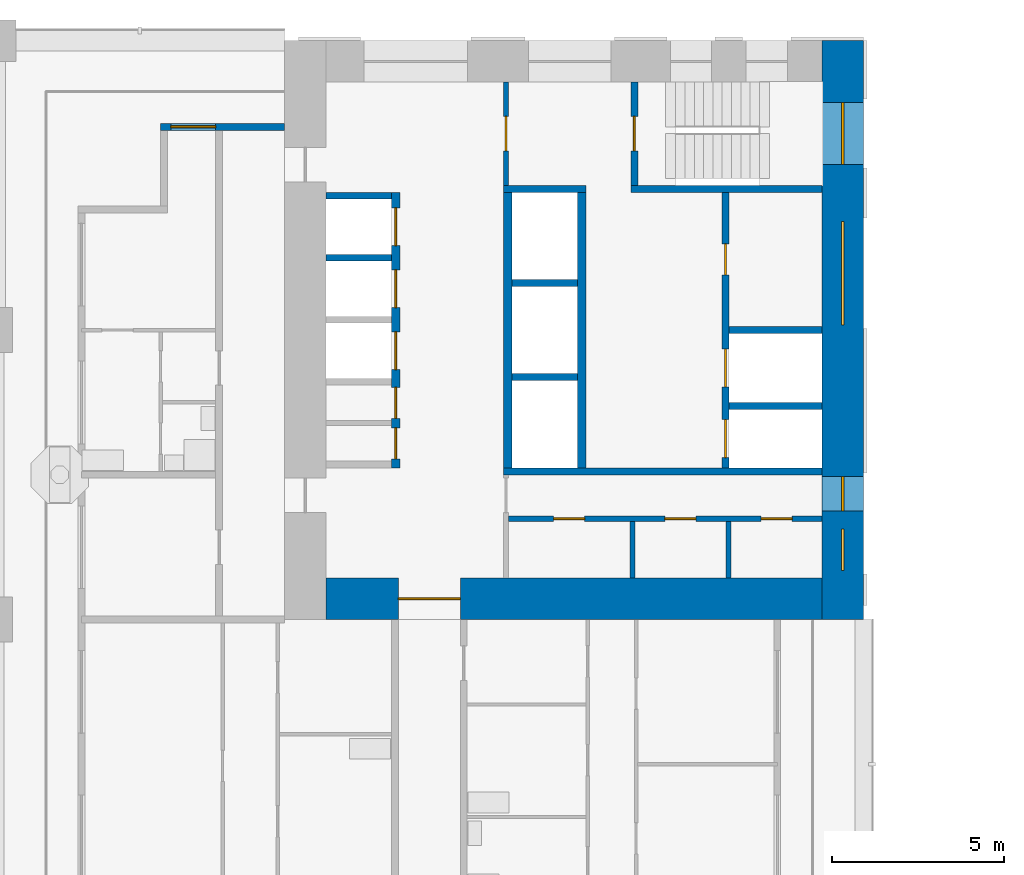
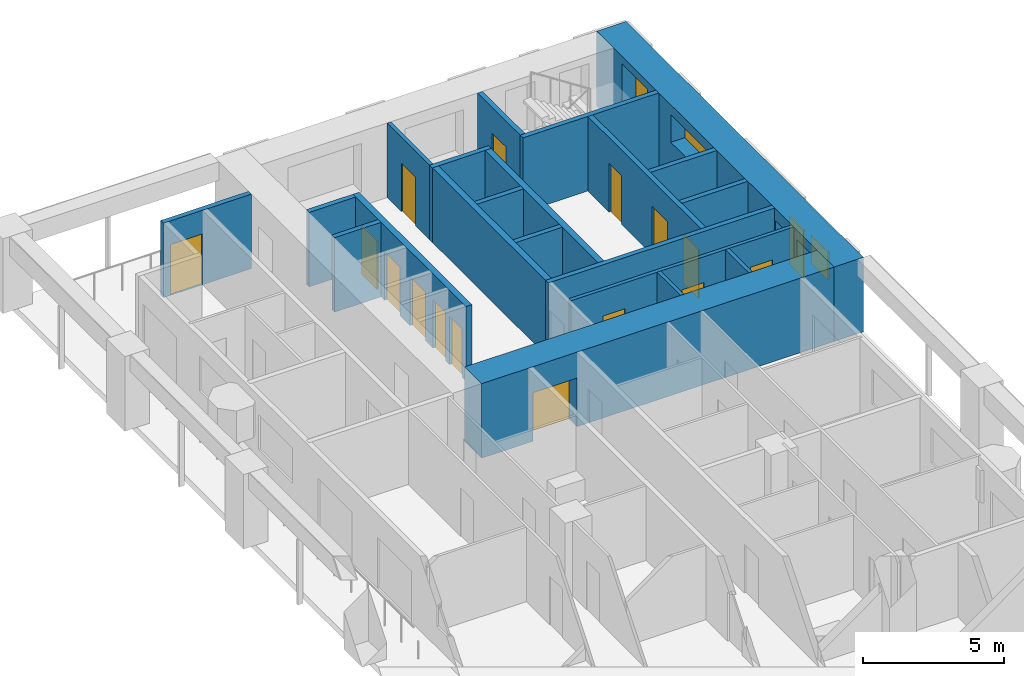
# One storey, part 7 of 18: 21 walls, 15 doors, 4 windows, 19 openings.
"""IFC4 building model written with IfcOpenShell, lengths in metres."""

from ifc_helpers import new_model, si_unit, direction, frame, frame_2d, origin, place, context, subcontext, project, spatial, rectangle, extrude, material, layer, layer_set, type_object, element, fill, save


model = new_model("IFC4")

# Units and contexts
model_context = context("Model", 3, precision=1e-05, world=origin(), true_north=direction((0.0, 1.0)))
body_context = subcontext(model_context, "Body", "Model", "MODEL_VIEW")
ifc_project = project(units=[si_unit("LENGTHUNIT", "METRE"), si_unit("AREAUNIT", "SQUARE_METRE"), si_unit("VOLUMEUNIT", "CUBIC_METRE"), si_unit("PLANEANGLEUNIT", "RADIAN"), si_unit("MASSUNIT", "GRAM", prefix="KILO")], contexts=[model_context])

# Site, building, storey
site_placement = place(None, origin())
site = spatial("IfcSite", under=ifc_project, at=site_placement, CompositionType="ELEMENT")
building_placement = place(site_placement, origin())
building = spatial("IfcBuilding", under=site, at=building_placement, Name="Vermilion Gate Residences", CompositionType="ELEMENT")
storey_placement = place(building_placement, frame((0.0, 0.0, 84.699951171875)))
storey = spatial("IfcBuildingStorey", under=building, at=storey_placement, Name="L20", CompositionType="ELEMENT", Elevation=84.699951171875)

# Wall, opening, door
ifc_material_1 = material(Name="Masonry blockwork", Category="masonry")
ifc_layer_1 = layer(ifc_material_1, 0.14990234375)
ifc_layer_set_1 = layer_set([ifc_layer_1], Name="BLOCKWORK PARTITION 150 EI 120")
wall_type_1 = type_object("IfcWallType", Name="BLOCKWORK PARTITION 150 EI 120", PredefinedType="PARTITIONING", material=ifc_layer_set_1)
wall_1_placement = place(storey_placement, frame((14.824951171875, 57.60009765625, 0.0), z_axis=(0.0, 0.0, 1.0), x_axis=(0.0, -1.0, 0.0)))
wall_1 = element("IfcWall", 1, at=wall_1_placement, inside=storey, type_object=wall_type_1, Name="Core room partition B20-VW-S", PredefinedType="PARTITIONING", context=body_context, shape_type="SweptSolid", body=[
    extrude(rectangle(XDim=3.0, YDim=0.14990234375, at=frame_2d((1.5, 0.0))), origin(), (0.0, 0.0, 1.0), 3.219970703125),
])
opening_1_placement = place(wall_1_placement, frame((1.0, 0.0, 0.0)))
opening_1 = element("IfcOpeningElement", 2, at=opening_1_placement, cuts=wall_1, Name="Opening DK20112", PredefinedType="OPENING", context=body_context, shape_type="SweptSolid", body=[
    extrude(rectangle(XDim=1.0, YDim=2.10009765625, at=frame_2d((0.5, 1.050048828125))), frame((0.0, 0.0849609375, 0.0), z_axis=(0.0, -1.0, 0.0), x_axis=(1.0, 0.0, 0.0)), (0.0, 0.0, 1.0), 0.169921875),
])
ifc_material_2 = material(Name="Steel", Category="steel")
door_type_1 = type_object("IfcDoorType", Name="FIRE DOOR FD60 1000 X 2100", OperationType="SINGLE_SWING_LEFT", PredefinedType="DOOR", material=ifc_material_2)
door_1_placement = place(opening_1_placement, frame((1.0, 0.0, 0.0), z_axis=(0.0, 0.0, 1.0), x_axis=(-1.0, 0.0, 0.0)))
door_1 = element("IfcDoor", 3, at=door_1_placement, inside=storey, type_object=door_type_1, Name="Stair vestibule door B20", OperationType="SINGLE_SWING_RIGHT", OverallHeight=2.10009765625, OverallWidth=1.0, PredefinedType="DOOR", context=body_context, shape_type="SweptSolid", body=[
    extrude(rectangle(XDim=1.0, YDim=2.10009765625, at=frame_2d((0.5, 1.050048828125))), frame((0.0, 0.02490234375, 0.0), z_axis=(0.0, -1.0, 0.0), x_axis=(1.0, 0.0, 0.0)), (0.0, 0.0, 1.0), 0.050048828125),
])
fill(opening_1, door_1)

# Walls
for number, where, z_axis, x_axis, name in (
    (4, (18.4951171875, 44.85009765625, 0.0), (0.0, 0.0, 1.0), (0.0, -1.0, 0.0), "Core room partition B20-ES-P0"),
    (5, (21.284912109375, 44.85009765625, 0.0), (0.0, 0.0, 1.0), (0.0, -1.0, 0.0), "Core room partition B20-ES-P1"),
):
    element("IfcWall", number, at=place(storey_placement, frame(where, z_axis=z_axis, x_axis=x_axis)), inside=storey, type_object=wall_type_1, Name=name, PredefinedType="PARTITIONING", context=body_context, shape_type="SweptSolid", body=[
        extrude(rectangle(XDim=1.650146484375, YDim=0.14990234375, at=frame_2d((0.8251953125, 0.0))), origin(), (0.0, 0.0, 1.0), 3.219970703125),
    ])

# Wall, openings, doors
wall_2_placement = place(storey_placement, frame((14.89990234375, 44.925048828125, 0.0), z_axis=(0.0, 0.0, 1.0), x_axis=(1.0, 0.0, 0.0)))
wall_2 = element("IfcWall", 6, at=wall_2_placement, inside=storey, type_object=wall_type_1, Name="Core room partition B20-ES-W", PredefinedType="PARTITIONING", context=body_context, shape_type="SweptSolid", body=[
    extrude(rectangle(XDim=9.10009765625, YDim=0.14990234375, at=frame_2d((4.550048828125, 0.0))), origin(), (0.0, 0.0, 1.0), 3.219970703125),
])
opening_2_placement = place(wall_2_placement, frame((1.31005859375, 0.0, 0.0)))
opening_2 = element("IfcOpeningElement", 7, at=opening_2_placement, cuts=wall_2, Name="Opening DK20115", PredefinedType="OPENING", context=body_context, shape_type="SweptSolid", body=[
    extrude(rectangle(XDim=0.89990234375, YDim=2.10009765625, at=frame_2d((0.449951171875, 1.050048828125))), frame((0.0, 0.0849609375, 0.0), z_axis=(0.0, -1.0, 0.0), x_axis=(1.0, 0.0, 0.0)), (0.0, 0.0, 1.0), 0.169921875),
])
opening_3_placement = place(wall_2_placement, frame((4.5400390625, 0.0, 0.0)))
opening_3 = element("IfcOpeningElement", 8, at=opening_3_placement, cuts=wall_2, Name="Opening DK20116", PredefinedType="OPENING", context=body_context, shape_type="SweptSolid", body=[
    extrude(rectangle(XDim=0.89990234375, YDim=2.10009765625, at=frame_2d((0.449951171875, 1.050048828125))), frame((0.0, 0.0849609375, 0.0), z_axis=(0.0, -1.0, 0.0), x_axis=(1.0, 0.0, 0.0)), (0.0, 0.0, 1.0), 0.169921875),
])
opening_4_placement = place(wall_2_placement, frame((7.330078125, 0.0, 0.0)))
opening_4 = element("IfcOpeningElement", 9, at=opening_4_placement, cuts=wall_2, Name="Opening DK20117", PredefinedType="OPENING", context=body_context, shape_type="SweptSolid", body=[
    extrude(rectangle(XDim=0.89990234375, YDim=2.10009765625, at=frame_2d((0.449951171875, 1.050048828125))), frame((0.0, 0.0849609375, 0.0), z_axis=(0.0, -1.0, 0.0), x_axis=(1.0, 0.0, 0.0)), (0.0, 0.0, 1.0), 0.169921875),
])
ifc_material_3 = material(Name="Steel", Category="steel")
door_type_2 = type_object("IfcDoorType", Name="SERVICE ROOM DOOR FD60 900 X 2100", OperationType="SINGLE_SWING_LEFT", PredefinedType="DOOR", material=ifc_material_3)
door_2_placement = place(opening_2_placement, frame((0.89990234375, 0.0, 0.0), z_axis=(0.0, 0.0, 1.0), x_axis=(-1.0, 0.0, 0.0)))
door_2 = element("IfcDoor", 10, at=door_2_placement, inside=storey, type_object=door_type_2, Name="Parcel room B20", OperationType="SINGLE_SWING_RIGHT", OverallHeight=2.10009765625, OverallWidth=0.89990234375, PredefinedType="DOOR", context=body_context, shape_type="SweptSolid", body=[
    extrude(rectangle(XDim=0.89990234375, YDim=2.10009765625, at=frame_2d((0.449951171875, 1.050048828125))), frame((0.0, 0.02490234375, 0.0), z_axis=(0.0, -1.0, 0.0), x_axis=(1.0, 0.0, 0.0)), (0.0, 0.0, 1.0), 0.050048828125),
])
fill(opening_2, door_2)
door_3_placement = place(opening_3_placement, frame((0.89990234375, 0.0, 0.0), z_axis=(0.0, 0.0, 1.0), x_axis=(-1.0, 0.0, 0.0)))
door_3 = element("IfcDoor", 11, at=door_3_placement, inside=storey, type_object=door_type_2, Name="Cleaner's store B20", OperationType="SINGLE_SWING_RIGHT", OverallHeight=2.10009765625, OverallWidth=0.89990234375, PredefinedType="DOOR", context=body_context, shape_type="SweptSolid", body=[
    extrude(rectangle(XDim=0.89990234375, YDim=2.10009765625, at=frame_2d((0.449951171875, 1.050048828125))), frame((0.0, 0.02490234375, 0.0), z_axis=(0.0, -1.0, 0.0), x_axis=(1.0, 0.0, 0.0)), (0.0, 0.0, 1.0), 0.050048828125),
])
fill(opening_3, door_3)
door_4_placement = place(opening_4_placement, frame((0.89990234375, 0.0, 0.0), z_axis=(0.0, 0.0, 1.0), x_axis=(-1.0, 0.0, 0.0)))
door_4 = element("IfcDoor", 12, at=door_4_placement, inside=storey, type_object=door_type_2, Name="Electrical room B20", OperationType="SINGLE_SWING_LEFT", OverallHeight=2.10009765625, OverallWidth=0.89990234375, PredefinedType="DOOR", context=body_context, shape_type="SweptSolid", body=[
    extrude(rectangle(XDim=0.89990234375, YDim=2.10009765625, at=frame_2d((0.449951171875, 1.050048828125))), frame((0.0, 0.02490234375, 0.0), z_axis=(0.0, -1.0, 0.0), x_axis=(1.0, 0.0, 0.0)), (0.0, 0.0, 1.0), 0.050048828125),
])
fill(opening_4, door_4)

# Wall, opening, door
ifc_material_4 = material(Name="Insulated steel stud wall with terracotta rainscreen", Category="masonry")
ifc_layer_2 = layer(ifc_material_4, 0.199951171875)
ifc_layer_set_2 = layer_set([ifc_layer_2], Name="EXTERNAL WALL 200 TERRACOTTA RAINSCREEN")
wall_type_2 = type_object("IfcWallType", Name="EXTERNAL WALL 200 TERRACOTTA RAINSCREEN", PredefinedType="SOLIDWALL", material=ifc_layer_set_2)
wall_3_placement = place(storey_placement, frame((8.39990234375, 56.300048828125, 0.0), z_axis=(0.0, 0.0, 1.0), x_axis=(-1.0, 0.0, 0.0)))
wall_3 = element("IfcWall", 13, at=wall_3_placement, inside=storey, type_object=wall_type_2, Name="External wall", PredefinedType="SOLIDWALL", context=body_context, shape_type="SweptSolid", body=[
    extrude(rectangle(XDim=3.599853515625, YDim=0.199951171875, at=frame_2d((1.7998046875, 0.0))), origin(), (0.0, 0.0, 1.0), 3.219970703125),
])
opening_5_placement = place(wall_3_placement, frame((2.0, 0.0, 0.0)))
opening_5 = element("IfcOpeningElement", 14, at=opening_5_placement, cuts=wall_3, Name="Opening DE20001", PredefinedType="OPENING", context=body_context, shape_type="SweptSolid", body=[
    extrude(rectangle(XDim=1.300048828125, YDim=2.199951171875, at=frame_2d((0.64990234375, 1.10009765625))), frame((0.0, 0.10986328125, 0.0), z_axis=(0.0, -1.0, 0.0), x_axis=(1.0, 0.0, 0.0)), (0.0, 0.0, 1.0), 0.219970703125),
])
ifc_material_5 = material(Name="Aluminium and clear glass", Category="aluminium")
door_type_3 = type_object("IfcDoorType", Name="SLIDING GLAZED DOOR 1300 X 2200", OperationType="DOUBLE_DOOR_SLIDING", PredefinedType="DOOR", material=ifc_material_5)
door_5_placement = place(opening_5_placement, origin())
door_5 = element("IfcDoor", 15, at=door_5_placement, inside=storey, type_object=door_type_3, Name="Loggia sliding door", OperationType="DOUBLE_DOOR_SLIDING", OverallHeight=2.199951171875, OverallWidth=1.300048828125, PredefinedType="DOOR", context=body_context, shape_type="SweptSolid", body=[
    extrude(rectangle(XDim=1.300048828125, YDim=2.199951171875, at=frame_2d((0.64990234375, 1.10009765625))), frame((0.0, 0.02490234375, 0.0), z_axis=(0.0, -1.0, 0.0), x_axis=(1.0, 0.0, 0.0)), (0.0, 0.0, 1.0), 0.050048828125),
])
fill(opening_5, door_5)

# Walls
ifc_material_6 = material(Name="Concrete C60", Category="concrete")
ifc_layer_3 = layer(ifc_material_6, 0.199951171875)
ifc_layer_set_3 = layer_set([ifc_layer_3], Name="RC CORE INTERNAL WALL 200 C60")
wall_type_3 = type_object("IfcWallType", Name="RC CORE INTERNAL WALL 200 C60", PredefinedType="SHEAR", material=ifc_layer_set_3)
for number, where, z_axis, x_axis, name in (
    (16, (9.60009765625, 54.300048828125, 0.0), (0.0, 0.0, 1.0), (1.0, 0.0, 0.0), "Core internal wall B20-LR-D0"),
    (17, (9.60009765625, 52.5, 0.0), (0.0, 0.0, 1.0), (1.0, 0.0, 0.0), "Core internal wall B20-LR-D1"),
    (18, (15.0, 51.7666015625, 0.0), (0.0, 0.0, 1.0), (1.0, 0.0, 0.0), "Core internal wall B20-HR-D1"),
    (19, (15.0, 49.033447265625, 0.0), (0.0, 0.0, 1.0), (1.0, 0.0, 0.0), "Core internal wall B20-HR-D2"),
):
    element("IfcWall", number, at=place(storey_placement, frame(where, z_axis=z_axis, x_axis=x_axis)), inside=storey, type_object=wall_type_3, Name=name, PredefinedType="SHEAR", context=body_context, shape_type="SweptSolid", body=[
        extrude(rectangle(XDim=1.89990234375, YDim=0.199951171875, at=frame_2d((0.949951171875, 0.0))), origin(), (0.0, 0.0, 1.0), 3.219970703125),
    ])
for number, where, z_axis, x_axis, name in (
    (20, (21.300048828125, 50.39990234375, 0.0), (0.0, 0.0, 1.0), (1.0, 0.0, 0.0), "Core internal wall B20-FF-D0"),
    (21, (21.300048828125, 48.199951171875, 0.0), (0.0, 0.0, 1.0), (1.0, 0.0, 0.0), "Core internal wall B20-FF-D1"),
):
    element("IfcWall", number, at=place(storey_placement, frame(where, z_axis=z_axis, x_axis=x_axis)), inside=storey, type_object=wall_type_3, Name=name, PredefinedType="SHEAR", context=body_context, shape_type="SweptSolid", body=[
        extrude(rectangle(XDim=2.699951171875, YDim=0.199951171875, at=frame_2d((1.35009765625, 0.0))), origin(), (0.0, 0.0, 1.0), 3.219970703125),
    ])

# Wall, openings, doors
wall_4_placement = place(storey_placement, frame((21.199951171875, 54.39990234375, 0.0), z_axis=(0.0, 0.0, 1.0), x_axis=(0.0, -1.0, 0.0)))
wall_4 = element("IfcWall", 22, at=wall_4_placement, inside=storey, type_object=wall_type_3, Name="Core internal wall B20-FF-F", PredefinedType="SHEAR", context=body_context, shape_type="SweptSolid", body=[
    extrude(rectangle(XDim=8.0, YDim=0.199951171875, at=frame_2d((4.0, 0.0))), origin(), (0.0, 0.0, 1.0), 3.219970703125),
])
opening_6_placement = place(wall_4_placement, frame((1.5, 0.0, 0.0)))
opening_6 = element("IfcOpeningElement", 23, at=opening_6_placement, cuts=wall_4, Name="Opening DK20109", PredefinedType="OPENING", context=body_context, shape_type="SweptSolid", body=[
    extrude(rectangle(XDim=0.89990234375, YDim=2.10009765625, at=frame_2d((0.449951171875, 1.050048828125))), frame((0.0, 0.10986328125, 0.0), z_axis=(0.0, -1.0, 0.0), x_axis=(1.0, 0.0, 0.0)), (0.0, 0.0, 1.0), 0.219970703125),
])
opening_7_placement = place(wall_4_placement, frame((4.550048828125, 0.0, 0.0)))
opening_7 = element("IfcOpeningElement", 24, at=opening_7_placement, cuts=wall_4, Name="Opening LD", PredefinedType="OPENING", context=body_context, shape_type="SweptSolid", body=[
    extrude(rectangle(XDim=1.10009765625, YDim=2.10009765625, at=frame_2d((0.550048828125, 1.050048828125))), frame((0.0, 0.10986328125, 0.0), z_axis=(0.0, -1.0, 0.0), x_axis=(1.0, 0.0, 0.0)), (0.0, 0.0, 1.0), 0.219970703125),
])
opening_8_placement = place(wall_4_placement, frame((6.60009765625, 0.0, 0.0)))
opening_8 = element("IfcOpeningElement", 25, at=opening_8_placement, cuts=wall_4, Name="Opening LD", PredefinedType="OPENING", context=body_context, shape_type="SweptSolid", body=[
    extrude(rectangle(XDim=1.10009765625, YDim=2.10009765625, at=frame_2d((0.550048828125, 1.050048828125))), frame((0.0, 0.10986328125, 0.0), z_axis=(0.0, -1.0, 0.0), x_axis=(1.0, 0.0, 0.0)), (0.0, 0.0, 1.0), 0.219970703125),
])
ifc_material_7 = material(Name="Stainless steel", Category="steel")
door_type_4 = type_object("IfcDoorType", Name="LIFT LANDING DOOR E60 1100 X 2100", OperationType="DOUBLE_DOOR_SLIDING", PredefinedType="DOOR", material=ifc_material_7)
door_6_placement = place(opening_7_placement, origin())
door_6 = element("IfcDoor", 26, at=door_6_placement, inside=storey, type_object=door_type_4, Name="Lift landing door LFB1", OperationType="DOUBLE_DOOR_SLIDING", OverallHeight=2.10009765625, OverallWidth=1.10009765625, PredefinedType="DOOR", context=body_context, shape_type="SweptSolid", body=[
    extrude(rectangle(XDim=1.10009765625, YDim=2.10009765625, at=frame_2d((0.550048828125, 1.050048828125))), frame((0.0, 0.02490234375, 0.0), z_axis=(0.0, -1.0, 0.0), x_axis=(1.0, 0.0, 0.0)), (0.0, 0.0, 1.0), 0.050048828125),
])
fill(opening_7, door_6)
door_7_placement = place(opening_8_placement, origin())
door_7 = element("IfcDoor", 27, at=door_7_placement, inside=storey, type_object=door_type_4, Name="Lift landing door LCB1", OperationType="DOUBLE_DOOR_SLIDING", OverallHeight=2.10009765625, OverallWidth=1.10009765625, PredefinedType="DOOR", context=body_context, shape_type="SweptSolid", body=[
    extrude(rectangle(XDim=1.10009765625, YDim=2.10009765625, at=frame_2d((0.550048828125, 1.050048828125))), frame((0.0, 0.02490234375, 0.0), z_axis=(0.0, -1.0, 0.0), x_axis=(1.0, 0.0, 0.0)), (0.0, 0.0, 1.0), 0.050048828125),
])
fill(opening_8, door_7)
door_8_placement = place(opening_6_placement, origin())
door_8 = element("IfcDoor", 28, at=door_8_placement, inside=storey, type_object=door_type_2, Name="Communications riser B20", OperationType="SINGLE_SWING_LEFT", OverallHeight=2.10009765625, OverallWidth=0.89990234375, PredefinedType="DOOR", context=body_context, shape_type="SweptSolid", body=[
    extrude(rectangle(XDim=0.89990234375, YDim=2.10009765625, at=frame_2d((0.449951171875, 1.050048828125))), frame((0.0, 0.02490234375, 0.0), z_axis=(0.0, -1.0, 0.0), x_axis=(1.0, 0.0, 0.0)), (0.0, 0.0, 1.0), 0.050048828125),
])
fill(opening_6, door_8)

# Walls
wall_5_placement = place(storey_placement, frame((14.75, 54.5, 0.0), z_axis=(0.0, 0.0, 1.0), x_axis=(1.0, 0.0, 0.0)))
element("IfcWall", 29, at=wall_5_placement, inside=storey, type_object=wall_type_3, Name="Core internal wall B20-WDIV1", PredefinedType="SHEAR", context=body_context, shape_type="SweptSolid", body=[
    extrude(rectangle(XDim=2.39990234375, YDim=0.199951171875, at=frame_2d((1.199951171875, 0.0))), origin(), (0.0, 0.0, 1.0), 3.219970703125),
])
wall_6_placement = place(storey_placement, frame((18.449951171875, 54.5, 0.0), z_axis=(0.0, 0.0, 1.0), x_axis=(1.0, 0.0, 0.0)))
element("IfcWall", 30, at=wall_6_placement, inside=storey, type_object=wall_type_3, Name="Core internal wall B20-WDIV2", PredefinedType="SHEAR", context=body_context, shape_type="SweptSolid", body=[
    extrude(rectangle(XDim=5.550048828125, YDim=0.199951171875, at=frame_2d((2.77490234375, 0.0))), origin(), (0.0, 0.0, 1.0), 3.219970703125),
])

# Wall, opening, door
wall_7_placement = place(storey_placement, frame((18.550048828125, 57.60009765625, 0.0), z_axis=(0.0, 0.0, 1.0), x_axis=(0.0, -1.0, 0.0)))
wall_7 = element("IfcWall", 31, at=wall_7_placement, inside=storey, type_object=wall_type_3, Name="Core internal wall B20-STW-S", PredefinedType="SHEAR", context=body_context, shape_type="SweptSolid", body=[
    extrude(rectangle(XDim=3.0, YDim=0.199951171875, at=frame_2d((1.5, 0.0))), origin(), (0.0, 0.0, 1.0), 3.219970703125),
])
opening_9_placement = place(wall_7_placement, frame((1.0, 0.0, 0.0)))
opening_9 = element("IfcOpeningElement", 32, at=opening_9_placement, cuts=wall_7, Name="Opening DK20113", PredefinedType="OPENING", context=body_context, shape_type="SweptSolid", body=[
    extrude(rectangle(XDim=1.0, YDim=2.10009765625, at=frame_2d((0.5, 1.050048828125))), frame((0.0, 0.10986328125, 0.0), z_axis=(0.0, -1.0, 0.0), x_axis=(1.0, 0.0, 0.0)), (0.0, 0.0, 1.0), 0.219970703125),
])
door_9_placement = place(opening_9_placement, origin())
door_9 = element("IfcDoor", 33, at=door_9_placement, inside=storey, type_object=door_type_1, Name="Stair door B20", OperationType="SINGLE_SWING_LEFT", OverallHeight=2.10009765625, OverallWidth=1.0, PredefinedType="DOOR", context=body_context, shape_type="SweptSolid", body=[
    extrude(rectangle(XDim=1.0, YDim=2.10009765625, at=frame_2d((0.5, 1.050048828125))), frame((0.0, 0.02490234375, 0.0), z_axis=(0.0, -1.0, 0.0), x_axis=(1.0, 0.0, 0.0)), (0.0, 0.0, 1.0), 0.050048828125),
])
fill(opening_9, door_9)

# Wall
wall_8_placement = place(storey_placement, frame((14.75, 46.300048828125, 0.0), z_axis=(0.0, 0.0, 1.0), x_axis=(1.0, 0.0, 0.0)))
element("IfcWall", 34, at=wall_8_placement, inside=storey, type_object=wall_type_3, Name="Core internal wall B20-EDIV", PredefinedType="SHEAR", context=body_context, shape_type="SweptSolid", body=[
    extrude(rectangle(XDim=9.25, YDim=0.199951171875, at=frame_2d((4.625, 0.0))), origin(), (0.0, 0.0, 1.0), 3.219970703125),
])

# Wall, opening, door
ifc_material_8 = material(Name="Concrete C70", Category="concrete")
ifc_layer_4 = layer(ifc_material_8, 1.199951171875)
ifc_layer_set_4 = layer_set([ifc_layer_4], Name="RC CORE WALL 1200 C70")
wall_type_4 = type_object("IfcWallType", Name="RC CORE WALL 1200 C70", PredefinedType="SHEAR", material=ifc_layer_set_4)
wall_9_placement = place(storey_placement, frame((9.60009765625, 42.60009765625, 0.0), z_axis=(0.0, 0.0, 1.0), x_axis=(1.0, 0.0, 0.0)))
wall_9 = element("IfcWall", 35, at=wall_9_placement, inside=storey, type_object=wall_type_4, Name="Core wall B20-OUT-BK", PredefinedType="SHEAR", context=body_context, shape_type="SweptSolid", body=[
    extrude(rectangle(XDim=14.39990234375, YDim=1.199951171875, at=frame_2d((7.199951171875, 0.0))), origin(), (0.0, 0.0, 1.0), 3.219970703125),
])
opening_10_placement = place(wall_9_placement, frame((2.10009765625, 0.0, 0.0)))
opening_10 = element("IfcOpeningElement", 36, at=opening_10_placement, cuts=wall_9, Name="Opening DK20103", PredefinedType="OPENING", context=body_context, shape_type="SweptSolid", body=[
    extrude(rectangle(XDim=1.800048828125, YDim=2.10009765625, at=frame_2d((0.89990234375, 1.050048828125))), frame((0.0, 0.60986328125, 0.0), z_axis=(0.0, -1.0, 0.0), x_axis=(1.0, 0.0, 0.0)), (0.0, 0.0, 1.0), 1.219970703125),
])
ifc_material_9 = material(Name="Steel", Category="steel")
door_type_5 = type_object("IfcDoorType", Name="CORE LOBBY DOOR FD60 1800 X 2100", OperationType="DOUBLE_DOOR_SINGLE_SWING", PredefinedType="DOOR", material=ifc_material_9)
door_10_placement = place(opening_10_placement, origin())
door_10 = element("IfcDoor", 37, at=door_10_placement, inside=storey, type_object=door_type_5, Name="Core lobby door B20", OperationType="DOUBLE_DOOR_SINGLE_SWING", OverallHeight=2.10009765625, OverallWidth=1.800048828125, PredefinedType="DOOR", context=body_context, shape_type="SweptSolid", body=[
    extrude(rectangle(XDim=1.800048828125, YDim=2.10009765625, at=frame_2d((0.89990234375, 1.050048828125))), frame((0.0, 0.02490234375, 0.0), z_axis=(0.0, -1.0, 0.0), x_axis=(1.0, 0.0, 0.0)), (0.0, 0.0, 1.0), 0.050048828125),
])
fill(opening_10, door_10)

# Wall, openings, windows
ifc_material_10 = material(Name="Concrete C70 red-oxide pigmented", Category="concrete")
ifc_layer_5 = layer(ifc_material_10, 1.199951171875)
ifc_layer_set_5 = layer_set([ifc_layer_5], Name="RC CORE WALL 1200 C70 RED OXIDE")
wall_type_5 = type_object("IfcWallType", Name="RC CORE WALL 1200 C70 RED OXIDE", PredefinedType="SHEAR", material=ifc_layer_set_5)
wall_10_placement = place(storey_placement, frame((24.60009765625, 58.800048828125, 0.0), z_axis=(0.0, 0.0, 1.0), x_axis=(0.0, -1.0, 0.0)))
wall_10 = element("IfcWall", 38, at=wall_10_placement, inside=storey, type_object=wall_type_5, Name="Core wall B20-OUT-B1", PredefinedType="SHEAR", context=body_context, shape_type="SweptSolid", body=[
    extrude(rectangle(XDim=16.800048828125, YDim=1.199951171875, at=frame_2d((8.39990234375, 0.0))), origin(), (0.0, 0.0, 1.0), 3.219970703125),
])
opening_11_placement = place(wall_10_placement, frame((1.800048828125, 0.0, 0.5)))
opening_11 = element("IfcOpeningElement", 39, at=opening_11_placement, cuts=wall_10, Name="Opening WKB2001", PredefinedType="OPENING", context=body_context, shape_type="SweptSolid", body=[
    extrude(rectangle(XDim=1.800048828125, YDim=2.39990234375, at=frame_2d((0.89990234375, 1.199951171875))), frame((0.0, 0.60986328125, 0.0), z_axis=(0.0, -1.0, 0.0), x_axis=(1.0, 0.0, 0.0)), (0.0, 0.0, 1.0), 1.219970703125),
])
opening_12_placement = place(wall_10_placement, frame((5.25, 0.0, 1.60009765625)))
opening_12 = element("IfcOpeningElement", 40, at=opening_12_placement, cuts=wall_10, Name="Opening WKB2002", PredefinedType="OPENING", context=body_context, shape_type="SweptSolid", body=[
    extrude(rectangle(XDim=3.0, YDim=1.199951171875, at=frame_2d((1.5, 0.60009765625))), frame((0.0, 0.60986328125, 0.0), z_axis=(0.0, -1.0, 0.0), x_axis=(1.0, 0.0, 0.0)), (0.0, 0.0, 1.0), 1.219970703125),
])
opening_13_placement = place(wall_10_placement, frame((12.64990234375, 0.0, 0.60009765625)))
opening_13 = element("IfcOpeningElement", 41, at=opening_13_placement, cuts=wall_10, Name="Opening WKB2003", PredefinedType="OPENING", context=body_context, shape_type="SweptSolid", body=[
    extrude(rectangle(XDim=1.0, YDim=2.10009765625, at=frame_2d((0.5, 1.050048828125))), frame((0.0, 0.60986328125, 0.0), z_axis=(0.0, -1.0, 0.0), x_axis=(1.0, 0.0, 0.0)), (0.0, 0.0, 1.0), 1.219970703125),
])
opening_14_placement = place(wall_10_placement, frame((14.175048828125, 0.0, 1.60009765625)))
opening_14 = element("IfcOpeningElement", 42, at=opening_14_placement, cuts=wall_10, Name="Opening WKB2004", PredefinedType="OPENING", context=body_context, shape_type="SweptSolid", body=[
    extrude(rectangle(XDim=1.199951171875, YDim=1.199951171875, at=frame_2d((0.60009765625, 0.60009765625))), frame((0.0, 0.60986328125, 0.0), z_axis=(0.0, -1.0, 0.0), x_axis=(1.0, 0.0, 0.0)), (0.0, 0.0, 1.0), 1.219970703125),
])
ifc_material_11 = material(Name="Aluminium and clear glass", Category="aluminium")
window_type_1 = type_object("IfcWindowType", Name="CORE CORRIDOR WINDOW 1000 X 2100", PartitioningType="SINGLE_PANEL", PredefinedType="WINDOW", material=ifc_material_11)
window_1_placement = place(opening_13_placement, origin())
window_1 = element("IfcWindow", 43, at=window_1_placement, inside=storey, type_object=window_type_1, Name="Core corridor window", OverallHeight=2.10009765625, OverallWidth=1.0, PartitioningType="SINGLE_PANEL", PredefinedType="WINDOW", context=body_context, shape_type="SweptSolid", body=[
    extrude(rectangle(XDim=1.0, YDim=2.10009765625, at=frame_2d((0.5, 1.050048828125))), frame((0.0, 0.030029296875, 0.0), z_axis=(0.0, -1.0, 0.0), x_axis=(1.0, 0.0, 0.0)), (0.0, 0.0, 1.0), 0.06005859375),
])
fill(opening_13, window_1)
ifc_material_12 = material(Name="Aluminium frame with louvre blades", Category="aluminium")
window_type_2 = type_object("IfcWindowType", Name="CORE LOUVRE 1200 X 1200", PartitioningType="SINGLE_PANEL", PredefinedType="WINDOW", material=ifc_material_12)
window_2_placement = place(opening_14_placement, origin())
window_2 = element("IfcWindow", 44, at=window_2_placement, inside=storey, type_object=window_type_2, Name="Core louvre", OverallHeight=1.199951171875, OverallWidth=1.199951171875, PartitioningType="SINGLE_PANEL", PredefinedType="WINDOW", context=body_context, shape_type="SweptSolid", body=[
    extrude(rectangle(XDim=1.199951171875, YDim=1.199951171875, at=frame_2d((0.60009765625, 0.60009765625))), frame((0.0, 0.030029296875, 0.0), z_axis=(0.0, -1.0, 0.0), x_axis=(1.0, 0.0, 0.0)), (0.0, 0.0, 1.0), 0.06005859375),
])
fill(opening_14, window_2)
ifc_material_13 = material(Name="Aluminium frame with louvre blades", Category="aluminium")
window_type_3 = type_object("IfcWindowType", Name="CORE LOUVRE 3000 X 1200", PartitioningType="SINGLE_PANEL", PredefinedType="WINDOW", material=ifc_material_13)
window_3_placement = place(opening_12_placement, origin())
window_3 = element("IfcWindow", 45, at=window_3_placement, inside=storey, type_object=window_type_3, Name="Core louvre", OverallHeight=1.199951171875, OverallWidth=3.0, PartitioningType="SINGLE_PANEL", PredefinedType="WINDOW", context=body_context, shape_type="SweptSolid", body=[
    extrude(rectangle(XDim=3.0, YDim=1.199951171875, at=frame_2d((1.5, 0.60009765625))), frame((0.0, 0.030029296875, 0.0), z_axis=(0.0, -1.0, 0.0), x_axis=(1.0, 0.0, 0.0)), (0.0, 0.0, 1.0), 0.06005859375),
])
fill(opening_12, window_3)
ifc_material_14 = material(Name="Aluminium and clear glass", Category="aluminium")
window_type_4 = type_object("IfcWindowType", Name="CORE STAIR WINDOW 1800 X 2400", PartitioningType="SINGLE_PANEL", PredefinedType="WINDOW", material=ifc_material_14)
window_4_placement = place(opening_11_placement, origin())
window_4 = element("IfcWindow", 46, at=window_4_placement, inside=storey, type_object=window_type_4, Name="Core stair window", OverallHeight=2.39990234375, OverallWidth=1.800048828125, PartitioningType="SINGLE_PANEL", PredefinedType="WINDOW", context=body_context, shape_type="SweptSolid", body=[
    extrude(rectangle(XDim=1.800048828125, YDim=2.39990234375, at=frame_2d((0.89990234375, 1.199951171875))), frame((0.0, 0.030029296875, 0.0), z_axis=(0.0, -1.0, 0.0), x_axis=(1.0, 0.0, 0.0)), (0.0, 0.0, 1.0), 0.06005859375),
])
fill(opening_11, window_4)

# Wall, openings, doors
ifc_material_15 = material(Name="Concrete C60", Category="concrete")
ifc_layer_6 = layer(ifc_material_15, 0.25)
ifc_layer_set_6 = layer_set([ifc_layer_6], Name="RC LIFT SHAFT WALL 250 C60")
wall_type_6 = type_object("IfcWallType", Name="RC LIFT SHAFT WALL 250 C60", PredefinedType="SHEAR", material=ifc_layer_set_6)
wall_11_placement = place(storey_placement, frame((11.625, 54.39990234375, 0.0), z_axis=(0.0, 0.0, 1.0), x_axis=(0.0, -1.0, 0.0)))
wall_11 = element("IfcWall", 47, at=wall_11_placement, inside=storey, type_object=wall_type_6, Name="Lift shaft wall B20-LR-F", PredefinedType="SHEAR", context=body_context, shape_type="SweptSolid", body=[
    extrude(rectangle(XDim=8.0, YDim=0.25, at=frame_2d((4.0, 0.0))), origin(), (0.0, 0.0, 1.0), 3.219970703125),
])
opening_15_placement = place(wall_11_placement, frame((0.449951171875, 0.0, 0.0)))
opening_15 = element("IfcOpeningElement", 48, at=opening_15_placement, cuts=wall_11, Name="Opening LD", PredefinedType="OPENING", context=body_context, shape_type="SweptSolid", body=[
    extrude(rectangle(XDim=1.10009765625, YDim=2.10009765625, at=frame_2d((0.550048828125, 1.050048828125))), frame((0.0, 0.135009765625, 0.0), z_axis=(0.0, -1.0, 0.0), x_axis=(1.0, 0.0, 0.0)), (0.0, 0.0, 1.0), 0.27001953125),
])
opening_16_placement = place(wall_11_placement, frame((2.25, 0.0, 0.0)))
opening_16 = element("IfcOpeningElement", 49, at=opening_16_placement, cuts=wall_11, Name="Opening LD", PredefinedType="OPENING", context=body_context, shape_type="SweptSolid", body=[
    extrude(rectangle(XDim=1.10009765625, YDim=2.10009765625, at=frame_2d((0.550048828125, 1.050048828125))), frame((0.0, 0.135009765625, 0.0), z_axis=(0.0, -1.0, 0.0), x_axis=(1.0, 0.0, 0.0)), (0.0, 0.0, 1.0), 0.27001953125),
])
opening_17_placement = place(wall_11_placement, frame((4.050048828125, 0.0, 0.0)))
opening_17 = element("IfcOpeningElement", 50, at=opening_17_placement, cuts=wall_11, Name="Opening LD", PredefinedType="OPENING", context=body_context, shape_type="SweptSolid", body=[
    extrude(rectangle(XDim=1.10009765625, YDim=2.10009765625, at=frame_2d((0.550048828125, 1.050048828125))), frame((0.0, 0.135009765625, 0.0), z_axis=(0.0, -1.0, 0.0), x_axis=(1.0, 0.0, 0.0)), (0.0, 0.0, 1.0), 0.27001953125),
])
opening_18_placement = place(wall_11_placement, frame((5.66259765625, 0.0, 0.0)))
opening_18 = element("IfcOpeningElement", 51, at=opening_18_placement, cuts=wall_11, Name="Opening DK20107", PredefinedType="OPENING", context=body_context, shape_type="SweptSolid", body=[
    extrude(rectangle(XDim=0.89990234375, YDim=2.10009765625, at=frame_2d((0.449951171875, 1.050048828125))), frame((0.0, 0.135009765625, 0.0), z_axis=(0.0, -1.0, 0.0), x_axis=(1.0, 0.0, 0.0)), (0.0, 0.0, 1.0), 0.27001953125),
])
opening_19_placement = place(wall_11_placement, frame((6.83740234375, 0.0, 0.0)))
opening_19 = element("IfcOpeningElement", 52, at=opening_19_placement, cuts=wall_11, Name="Opening DK20108", PredefinedType="OPENING", context=body_context, shape_type="SweptSolid", body=[
    extrude(rectangle(XDim=0.89990234375, YDim=2.10009765625, at=frame_2d((0.449951171875, 1.050048828125))), frame((0.0, 0.135009765625, 0.0), z_axis=(0.0, -1.0, 0.0), x_axis=(1.0, 0.0, 0.0)), (0.0, 0.0, 1.0), 0.27001953125),
])
door_11_placement = place(opening_15_placement, origin())
door_11 = element("IfcDoor", 53, at=door_11_placement, inside=storey, type_object=door_type_4, Name="Lift landing door LRB1", OperationType="DOUBLE_DOOR_SLIDING", OverallHeight=2.10009765625, OverallWidth=1.10009765625, PredefinedType="DOOR", context=body_context, shape_type="SweptSolid", body=[
    extrude(rectangle(XDim=1.10009765625, YDim=2.10009765625, at=frame_2d((0.550048828125, 1.050048828125))), frame((0.0, 0.02490234375, 0.0), z_axis=(0.0, -1.0, 0.0), x_axis=(1.0, 0.0, 0.0)), (0.0, 0.0, 1.0), 0.050048828125),
])
fill(opening_15, door_11)
door_12_placement = place(opening_16_placement, origin())
door_12 = element("IfcDoor", 54, at=door_12_placement, inside=storey, type_object=door_type_4, Name="Lift landing door LRB2", OperationType="DOUBLE_DOOR_SLIDING", OverallHeight=2.10009765625, OverallWidth=1.10009765625, PredefinedType="DOOR", context=body_context, shape_type="SweptSolid", body=[
    extrude(rectangle(XDim=1.10009765625, YDim=2.10009765625, at=frame_2d((0.550048828125, 1.050048828125))), frame((0.0, 0.02490234375, 0.0), z_axis=(0.0, -1.0, 0.0), x_axis=(1.0, 0.0, 0.0)), (0.0, 0.0, 1.0), 0.050048828125),
])
fill(opening_16, door_12)
door_13_placement = place(opening_17_placement, origin())
door_13 = element("IfcDoor", 55, at=door_13_placement, inside=storey, type_object=door_type_4, Name="Lift landing door LRB3", OperationType="DOUBLE_DOOR_SLIDING", OverallHeight=2.10009765625, OverallWidth=1.10009765625, PredefinedType="DOOR", context=body_context, shape_type="SweptSolid", body=[
    extrude(rectangle(XDim=1.10009765625, YDim=2.10009765625, at=frame_2d((0.550048828125, 1.050048828125))), frame((0.0, 0.02490234375, 0.0), z_axis=(0.0, -1.0, 0.0), x_axis=(1.0, 0.0, 0.0)), (0.0, 0.0, 1.0), 0.050048828125),
])
fill(opening_17, door_13)
door_14_placement = place(opening_18_placement, frame((0.89990234375, 0.0, 0.0), z_axis=(0.0, 0.0, 1.0), x_axis=(-1.0, 0.0, 0.0)))
door_14 = element("IfcDoor", 56, at=door_14_placement, inside=storey, type_object=door_type_2, Name="Mail room B20", OperationType="SINGLE_SWING_LEFT", OverallHeight=2.10009765625, OverallWidth=0.89990234375, PredefinedType="DOOR", context=body_context, shape_type="SweptSolid", body=[
    extrude(rectangle(XDim=0.89990234375, YDim=2.10009765625, at=frame_2d((0.449951171875, 1.050048828125))), frame((0.0, 0.02490234375, 0.0), z_axis=(0.0, -1.0, 0.0), x_axis=(1.0, 0.0, 0.0)), (0.0, 0.0, 1.0), 0.050048828125),
])
fill(opening_18, door_14)
door_15_placement = place(opening_19_placement, frame((0.89990234375, 0.0, 0.0), z_axis=(0.0, 0.0, 1.0), x_axis=(-1.0, 0.0, 0.0)))
door_15 = element("IfcDoor", 57, at=door_15_placement, inside=storey, type_object=door_type_2, Name="Cleaner's store B20", OperationType="SINGLE_SWING_LEFT", OverallHeight=2.10009765625, OverallWidth=0.89990234375, PredefinedType="DOOR", context=body_context, shape_type="SweptSolid", body=[
    extrude(rectangle(XDim=0.89990234375, YDim=2.10009765625, at=frame_2d((0.449951171875, 1.050048828125))), frame((0.0, 0.02490234375, 0.0), z_axis=(0.0, -1.0, 0.0), x_axis=(1.0, 0.0, 0.0)), (0.0, 0.0, 1.0), 0.050048828125),
])
fill(opening_19, door_15)

# Walls
for number, where, z_axis, x_axis, name in (
    (58, (14.875, 54.39990234375, 0.0), (0.0, 0.0, 1.0), (0.0, -1.0, 0.0), "Lift shaft wall B20-HR-F"),
    (59, (17.02490234375, 54.39990234375, 0.0), (0.0, 0.0, 1.0), (0.0, -1.0, 0.0), "Lift shaft wall B20-HR-B"),
):
    element("IfcWall", number, at=place(storey_placement, frame(where, z_axis=z_axis, x_axis=x_axis)), inside=storey, type_object=wall_type_6, Name=name, PredefinedType="SHEAR", context=body_context, shape_type="SweptSolid", body=[
        extrude(rectangle(XDim=8.0, YDim=0.25, at=frame_2d((4.0, 0.0))), origin(), (0.0, 0.0, 1.0), 3.219970703125),
    ])

save(model, "model.ifc")
